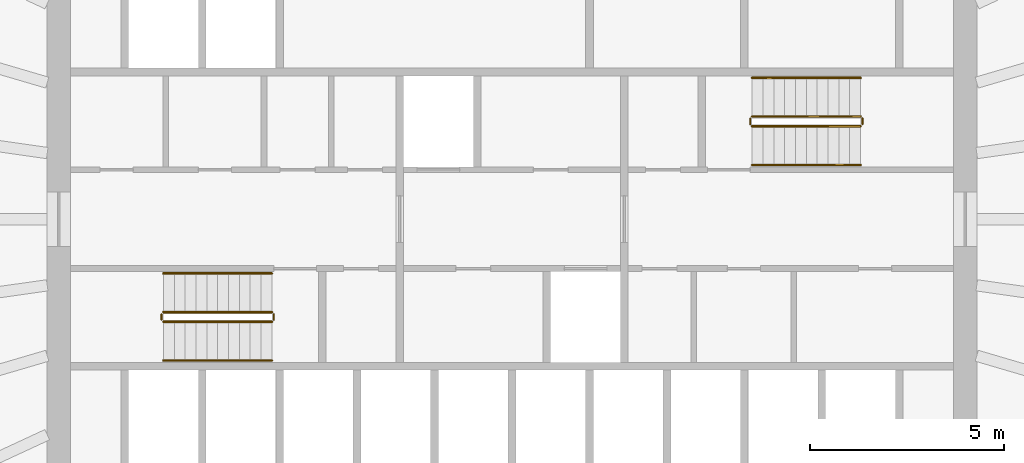
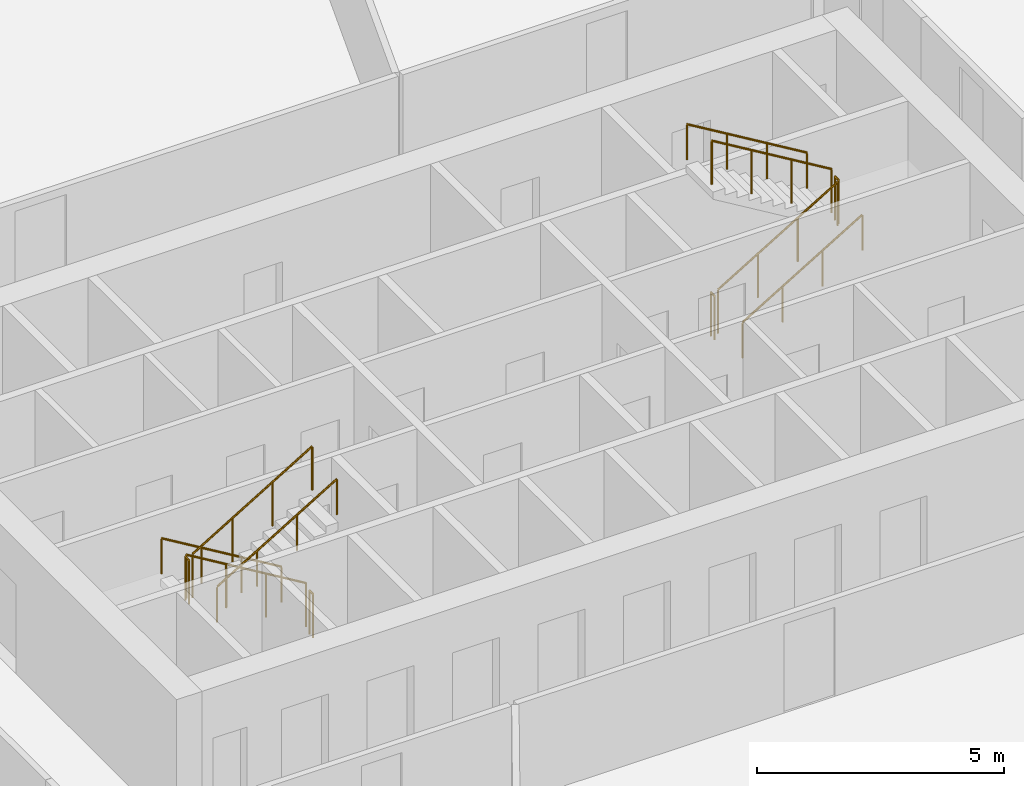
# One storey, part 11 of 11: 12 railings.
"""IFC4 building model written with IfcOpenShell, lengths in metres."""

from ifc_helpers import new_model, si_unit, direction, frame, origin, origin_2d, place, context, subcontext, project, spatial, circle, extrude, material, type_object, element, save


model = new_model("IFC4")

# Units and contexts
model_context = context("Model", 3, precision=1e-05, world=origin(), true_north=direction((0.0, 1.0)))
body_context = subcontext(model_context, "Body", "Model", "MODEL_VIEW")
ifc_project = project(units=[si_unit("LENGTHUNIT", "METRE"), si_unit("AREAUNIT", "SQUARE_METRE"), si_unit("VOLUMEUNIT", "CUBIC_METRE"), si_unit("PLANEANGLEUNIT", "RADIAN"), si_unit("MASSUNIT", "GRAM", prefix="KILO")], contexts=[model_context])

# Site, building, storey
site_placement = place(None, origin())
site = spatial("IfcSite", under=ifc_project, at=site_placement, CompositionType="ELEMENT")
building_placement = place(site_placement, origin())
building = spatial("IfcBuilding", under=site, at=building_placement, Name="Siaravel Broadcast Tower", CompositionType="ELEMENT")
storey_placement = place(building_placement, frame((0.0, 0.0, 66.699951171875)))
storey = spatial("IfcBuildingStorey", under=building, at=storey_placement, Name="L15", CompositionType="ELEMENT", Elevation=66.699951171875)

# Railings
ifc_material = material(Name="Stainless steel 316L", Category="steel")
railing_type_1 = type_object("IfcRailingType", Name="Stair guard 1100", PredefinedType="GUARDRAIL", material=ifc_material)
railing_1_placement = place(storey_placement, frame((-6.199951171875, -2.39990234375, 0.168212890625)))
element("IfcRailing", 1, at=railing_1_placement, inside=storey, type_object=railing_type_1, Name="L15 ST-1 stair guard 1", PredefinedType="GUARDRAIL", context=body_context, shape_type="SweptSolid", body=[
    extrude(circle(Radius=0.02392578125, at=origin_2d()), frame((0.0, 0.0, 1.076171875), z_axis=(-0.857242211, 0.0, 0.514913383), x_axis=(0.0, -1.0, 0.0)), (0.0, 0.0, 1.0), 3.266357421875),
    extrude(circle(Radius=0.02099609375, at=origin_2d()), origin(), (0.0, 0.0, 1.0), 1.052001953125),
    extrude(circle(Radius=0.02099609375, at=origin_2d()), frame((-0.933349609375, 0.0, 0.560546875)), (0.0, 0.0, 1.0), 1.052001953125),
    extrude(circle(Radius=0.02099609375, at=origin_2d()), frame((-1.86669921875, 0.0, 1.121337890625)), (0.0, 0.0, 1.0), 1.052001953125),
    extrude(circle(Radius=0.02099609375, at=origin_2d()), frame((-2.800048828125, 0.0, 1.681884765625)), (0.0, 0.0, 1.0), 1.052001953125),
])
railing_2_placement = place(storey_placement, frame((-9.050048828125, -2.449951171875, 1.85009765625)))
element("IfcRailing", 2, at=railing_2_placement, inside=storey, type_object=railing_type_1, Name="L15 ST-1 stair guard 2", PredefinedType="GUARDRAIL", context=body_context, shape_type="SweptSolid", body=[
    extrude(circle(Radius=0.02392578125, at=origin_2d()), frame((0.0, 0.0, 1.076171875), z_axis=(0.0, -1.0, 0.0), x_axis=(1.0, 0.0, 0.0)), (0.0, 0.0, 1.0), 0.150146484375),
    extrude(circle(Radius=0.02099609375, at=origin_2d()), origin(), (0.0, 0.0, 1.0), 1.052001953125),
    extrude(circle(Radius=0.02099609375, at=origin_2d()), frame((0.0, -0.150146484375, 0.0)), (0.0, 0.0, 1.0), 1.052001953125),
])
railing_3_placement = place(storey_placement, frame((-9.0, -2.64990234375, 2.018310546875)))
element("IfcRailing", 3, at=railing_3_placement, inside=storey, type_object=railing_type_1, Name="L15 ST-1 stair guard 3", PredefinedType="GUARDRAIL", context=body_context, shape_type="SweptSolid", body=[
    extrude(circle(Radius=0.02392578125, at=origin_2d()), frame((0.0, 0.0, 1.076171875), z_axis=(0.857275203, 0.0, 0.514858453), x_axis=(0.0, 1.0, 0.0)), (0.0, 0.0, 1.0), 3.26611328125),
    extrude(circle(Radius=0.02099609375, at=origin_2d()), origin(), (0.0, 0.0, 1.0), 1.052001953125),
    extrude(circle(Radius=0.02099609375, at=origin_2d()), frame((0.933349609375, 0.0, 0.560546875)), (0.0, 0.0, 1.0), 1.052001953125),
    extrude(circle(Radius=0.02099609375, at=origin_2d()), frame((1.86669921875, 0.0, 1.12109375)), (0.0, 0.0, 1.0), 1.052001953125),
    extrude(circle(Radius=0.02099609375, at=origin_2d()), frame((2.800048828125, 0.0, 1.681640625)), (0.0, 0.0, 1.0), 1.052001953125),
])
railing_4_placement = place(storey_placement, frame((-6.14990234375, -2.449951171875, 0.0)))
element("IfcRailing", 4, at=railing_4_placement, inside=storey, type_object=railing_type_1, Name="L15 ST-1 stair guard 4", PredefinedType="GUARDRAIL", context=body_context, shape_type="SweptSolid", body=[
    extrude(circle(Radius=0.02392578125, at=origin_2d()), frame((0.0, 0.0, 1.076171875), z_axis=(0.0, -1.0, 0.0), x_axis=(1.0, 0.0, 0.0)), (0.0, 0.0, 1.0), 0.150146484375),
    extrude(circle(Radius=0.02099609375, at=origin_2d()), origin(), (0.0, 0.0, 1.0), 1.052001953125),
    extrude(circle(Radius=0.02099609375, at=origin_2d()), frame((0.0, -0.150146484375, 0.0)), (0.0, 0.0, 1.0), 1.052001953125),
])
railing_5_placement = place(storey_placement, frame((6.199951171875, 2.39990234375, 0.168212890625)))
element("IfcRailing", 5, at=railing_5_placement, inside=storey, type_object=railing_type_1, Name="L15 ST-2 stair guard 1", PredefinedType="GUARDRAIL", context=body_context, shape_type="SweptSolid", body=[
    extrude(circle(Radius=0.02392578125, at=origin_2d()), frame((0.0, 0.0, 1.076171875), z_axis=(0.857242211, 0.0, 0.514913383), x_axis=(0.0, 1.0, 0.0)), (0.0, 0.0, 1.0), 3.266357421875),
    extrude(circle(Radius=0.02099609375, at=origin_2d()), origin(), (0.0, 0.0, 1.0), 1.052001953125),
    extrude(circle(Radius=0.02099609375, at=origin_2d()), frame((0.933349609375, 0.0, 0.560546875)), (0.0, 0.0, 1.0), 1.052001953125),
    extrude(circle(Radius=0.02099609375, at=origin_2d()), frame((1.86669921875, 0.0, 1.121337890625)), (0.0, 0.0, 1.0), 1.052001953125),
    extrude(circle(Radius=0.02099609375, at=origin_2d()), frame((2.800048828125, 0.0, 1.681884765625)), (0.0, 0.0, 1.0), 1.052001953125),
])
railing_6_placement = place(storey_placement, frame((9.050048828125, 2.449951171875, 1.85009765625)))
element("IfcRailing", 6, at=railing_6_placement, inside=storey, type_object=railing_type_1, Name="L15 ST-2 stair guard 2", PredefinedType="GUARDRAIL", context=body_context, shape_type="SweptSolid", body=[
    extrude(circle(Radius=0.02392578125, at=origin_2d()), frame((0.0, 0.0, 1.076171875), z_axis=(0.0, 1.0, 0.0), x_axis=(-1.0, 0.0, 0.0)), (0.0, 0.0, 1.0), 0.150146484375),
    extrude(circle(Radius=0.02099609375, at=origin_2d()), origin(), (0.0, 0.0, 1.0), 1.052001953125),
    extrude(circle(Radius=0.02099609375, at=origin_2d()), frame((0.0, 0.150146484375, 0.0)), (0.0, 0.0, 1.0), 1.052001953125),
])
railing_7_placement = place(storey_placement, frame((9.0, 2.64990234375, 2.018310546875)))
element("IfcRailing", 7, at=railing_7_placement, inside=storey, type_object=railing_type_1, Name="L15 ST-2 stair guard 3", PredefinedType="GUARDRAIL", context=body_context, shape_type="SweptSolid", body=[
    extrude(circle(Radius=0.02392578125, at=origin_2d()), frame((0.0, 0.0, 1.076171875), z_axis=(-0.857275203, 0.0, 0.514858453), x_axis=(0.0, -1.0, 0.0)), (0.0, 0.0, 1.0), 3.26611328125),
    extrude(circle(Radius=0.02099609375, at=origin_2d()), origin(), (0.0, 0.0, 1.0), 1.052001953125),
    extrude(circle(Radius=0.02099609375, at=origin_2d()), frame((-0.933349609375, 0.0, 0.560546875)), (0.0, 0.0, 1.0), 1.052001953125),
    extrude(circle(Radius=0.02099609375, at=origin_2d()), frame((-1.86669921875, 0.0, 1.12109375)), (0.0, 0.0, 1.0), 1.052001953125),
    extrude(circle(Radius=0.02099609375, at=origin_2d()), frame((-2.800048828125, 0.0, 1.681640625)), (0.0, 0.0, 1.0), 1.052001953125),
])
railing_8_placement = place(storey_placement, frame((6.14990234375, 2.449951171875, 0.0)))
element("IfcRailing", 8, at=railing_8_placement, inside=storey, type_object=railing_type_1, Name="L15 ST-2 stair guard 4", PredefinedType="GUARDRAIL", context=body_context, shape_type="SweptSolid", body=[
    extrude(circle(Radius=0.02392578125, at=origin_2d()), frame((0.0, 0.0, 1.076171875), z_axis=(0.0, 1.0, 0.0), x_axis=(-1.0, 0.0, 0.0)), (0.0, 0.0, 1.0), 0.150146484375),
    extrude(circle(Radius=0.02099609375, at=origin_2d()), origin(), (0.0, 0.0, 1.0), 1.052001953125),
    extrude(circle(Radius=0.02099609375, at=origin_2d()), frame((0.0, 0.150146484375, 0.0)), (0.0, 0.0, 1.0), 1.052001953125),
])
railing_type_2 = type_object("IfcRailingType", Name="Stair handrail 900", PredefinedType="HANDRAIL", material=ifc_material)
railing_9_placement = place(storey_placement, frame((-6.199951171875, -1.39990234375, 0.168212890625)))
element("IfcRailing", 9, at=railing_9_placement, inside=storey, type_object=railing_type_2, Name="L15 ST-1 stair handrail 1", PredefinedType="HANDRAIL", context=body_context, shape_type="SweptSolid", body=[
    extrude(circle(Radius=0.02392578125, at=origin_2d()), frame((0.0, 0.0, 0.8759765625), z_axis=(-0.857242211, 0.0, 0.514913383), x_axis=(0.0, -1.0, 0.0)), (0.0, 0.0, 1.0), 3.266357421875),
    extrude(circle(Radius=0.02099609375, at=origin_2d()), origin(), (0.0, 0.0, 1.0), 0.851806640625),
    extrude(circle(Radius=0.02099609375, at=origin_2d()), frame((-0.933349609375, 0.0, 0.560546875)), (0.0, 0.0, 1.0), 0.851806640625),
    extrude(circle(Radius=0.02099609375, at=origin_2d()), frame((-1.86669921875, 0.0, 1.121337890625)), (0.0, 0.0, 1.0), 0.851806640625),
    extrude(circle(Radius=0.02099609375, at=origin_2d()), frame((-2.800048828125, 0.0, 1.681884765625)), (0.0, 0.0, 1.0), 0.851806640625),
])
railing_10_placement = place(storey_placement, frame((-9.0, -3.64990234375, 2.018310546875)))
element("IfcRailing", 10, at=railing_10_placement, inside=storey, type_object=railing_type_2, Name="L15 ST-1 stair handrail 2", PredefinedType="HANDRAIL", context=body_context, shape_type="SweptSolid", body=[
    extrude(circle(Radius=0.02392578125, at=origin_2d()), frame((0.0, 0.0, 0.8759765625), z_axis=(0.857275203, 0.0, 0.514858453), x_axis=(0.0, 1.0, 0.0)), (0.0, 0.0, 1.0), 3.26611328125),
    extrude(circle(Radius=0.02099609375, at=origin_2d()), origin(), (0.0, 0.0, 1.0), 0.851806640625),
    extrude(circle(Radius=0.02099609375, at=origin_2d()), frame((0.933349609375, 0.0, 0.560546875)), (0.0, 0.0, 1.0), 0.851806640625),
    extrude(circle(Radius=0.02099609375, at=origin_2d()), frame((1.86669921875, 0.0, 1.12109375)), (0.0, 0.0, 1.0), 0.851806640625),
    extrude(circle(Radius=0.02099609375, at=origin_2d()), frame((2.800048828125, 0.0, 1.681640625)), (0.0, 0.0, 1.0), 0.851806640625),
])
railing_11_placement = place(storey_placement, frame((6.199951171875, 1.39990234375, 0.168212890625)))
element("IfcRailing", 11, at=railing_11_placement, inside=storey, type_object=railing_type_2, Name="L15 ST-2 stair handrail 1", PredefinedType="HANDRAIL", context=body_context, shape_type="SweptSolid", body=[
    extrude(circle(Radius=0.02392578125, at=origin_2d()), frame((0.0, 0.0, 0.8759765625), z_axis=(0.857242211, 0.0, 0.514913383), x_axis=(0.0, 1.0, 0.0)), (0.0, 0.0, 1.0), 3.266357421875),
    extrude(circle(Radius=0.02099609375, at=origin_2d()), origin(), (0.0, 0.0, 1.0), 0.851806640625),
    extrude(circle(Radius=0.02099609375, at=origin_2d()), frame((0.933349609375, 0.0, 0.560546875)), (0.0, 0.0, 1.0), 0.851806640625),
    extrude(circle(Radius=0.02099609375, at=origin_2d()), frame((1.86669921875, 0.0, 1.121337890625)), (0.0, 0.0, 1.0), 0.851806640625),
    extrude(circle(Radius=0.02099609375, at=origin_2d()), frame((2.800048828125, 0.0, 1.681884765625)), (0.0, 0.0, 1.0), 0.851806640625),
])
railing_12_placement = place(storey_placement, frame((9.0, 3.64990234375, 2.018310546875)))
element("IfcRailing", 12, at=railing_12_placement, inside=storey, type_object=railing_type_2, Name="L15 ST-2 stair handrail 2", PredefinedType="HANDRAIL", context=body_context, shape_type="SweptSolid", body=[
    extrude(circle(Radius=0.02392578125, at=origin_2d()), frame((0.0, 0.0, 0.8759765625), z_axis=(-0.857275203, 0.0, 0.514858453), x_axis=(0.0, -1.0, 0.0)), (0.0, 0.0, 1.0), 3.26611328125),
    extrude(circle(Radius=0.02099609375, at=origin_2d()), origin(), (0.0, 0.0, 1.0), 0.851806640625),
    extrude(circle(Radius=0.02099609375, at=origin_2d()), frame((-0.933349609375, 0.0, 0.560546875)), (0.0, 0.0, 1.0), 0.851806640625),
    extrude(circle(Radius=0.02099609375, at=origin_2d()), frame((-1.86669921875, 0.0, 1.12109375)), (0.0, 0.0, 1.0), 0.851806640625),
    extrude(circle(Radius=0.02099609375, at=origin_2d()), frame((-2.800048828125, 0.0, 1.681640625)), (0.0, 0.0, 1.0), 0.851806640625),
])

save(model, "model.ifc")
